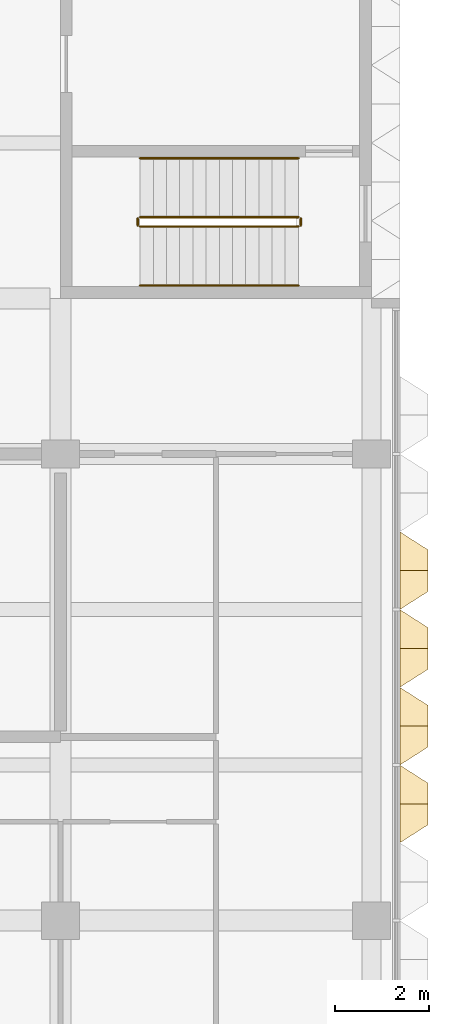
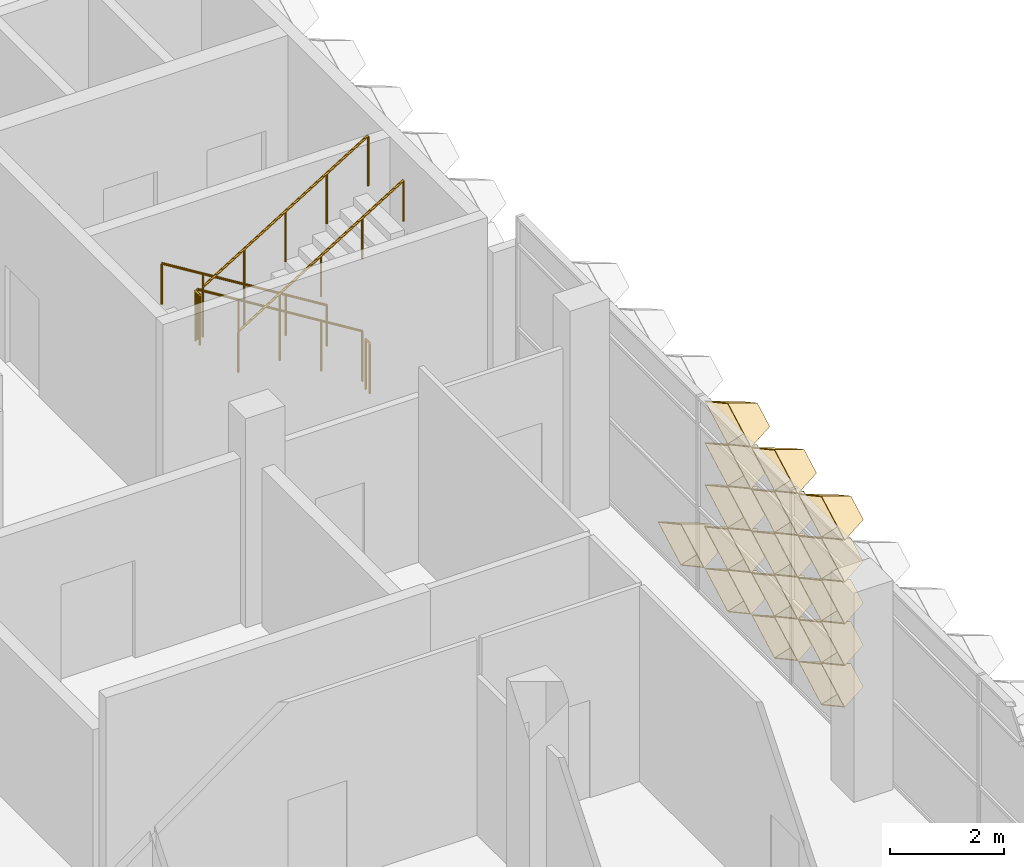
# One storey, part 33 of 39: 16 coverings, 6 railings.
"""IFC4 building model written with IfcOpenShell, lengths in metres."""

import ifcopenshell
import ifcopenshell.guid

model = None  # the IFC model being written
_history = None  # IfcOwnerHistory: only IFC2X3 demands one
_inside = {}  # id of a spatial element -> (the spatial element, [elements in it])
_under = {}  # id of a project, library or spatial element -> (it, [spatial elements below it])
_declared = {}  # id of a project -> (the project, [libraries it declares])
_typed = {}  # id of a type object -> (the type object, [elements of that type])
_made_of = {}  # id of a material, layer set ... -> (it, [elements and type objects made of it])


def new_model(schema):
    """Start an empty IFC model of exactly this schema.

    Asked for "IFC4X3", IfcOpenShell would pick the latest addendum, in which some entities
    have other attributes; the version numbers below select the first issue.
    IFC2X3 requires an IfcOwnerHistory on every rooted entity: one is made here for all.
    """
    global model, _history
    if schema == "IFC4X3":
        model = ifcopenshell.file(schema_version=(4, 3, 0, 0))
    else:
        model = ifcopenshell.file(schema=schema)
    _inside.clear()
    _under.clear()
    _declared.clear()
    _typed.clear()
    _made_of.clear()
    _history = None
    if model.schema == "IFC2X3":
        org = make("IfcOrganization", Name="unknown")
        user = make(
            "IfcPersonAndOrganization",
            ThePerson=make("IfcPerson", FamilyName="unknown"),
            TheOrganization=org,
        )
        app = make(
            "IfcApplication",
            ApplicationDeveloper=org,
            Version="unknown",
            ApplicationFullName="unknown",
            ApplicationIdentifier="unknown",
        )
        _history = make(
            "IfcOwnerHistory",
            OwningUser=user,
            OwningApplication=app,
            ChangeAction="ADDED",
            CreationDate=0,
        )
    return model


def make(cls, **values):
    """One entity of the class cls with the attributes given. An attribute that is None is left unset."""
    return model.create_entity(
        cls, **{name: value for name, value in values.items() if value is not None}
    )


def entity(cls, *values):
    """Any entity or typed value of the class cls, its attributes in the order of the schema. None: left unset."""
    e = model.create_entity(cls)
    for i, value in enumerate(values):
        if value is not None:
            e[i] = value
    return e


def rooted(cls, **values):
    """An entity with a GlobalId (a new one), such as an element, a storey or a relation."""
    return make(cls, GlobalId=ifcopenshell.guid.new(), OwnerHistory=_history, **values)


def si_unit(unit_type, name, prefix=None):
    """IfcSIUnit, for example si_unit("LENGTHUNIT", "METRE", prefix="MILLI")."""
    return make("IfcSIUnit", UnitType=unit_type, Prefix=prefix, Name=name)


def assignment(units):
    """IfcUnitAssignment: the units of a project."""
    return None if units is None else make("IfcUnitAssignment", Units=units)


def point(xyz):
    """IfcCartesianPoint."""
    return None if xyz is None else make("IfcCartesianPoint", Coordinates=xyz)


def direction(xyz):
    """IfcDirection."""
    return None if xyz is None else make("IfcDirection", DirectionRatios=xyz)


def frame(location, z_axis=None, x_axis=None):
    """IfcAxis2Placement3D, a coordinate frame: its origin and axes. An axis left out is left unset."""
    return make(
        "IfcAxis2Placement3D",
        Location=point(location),
        Axis=direction(z_axis),
        RefDirection=direction(x_axis),
    )


def frame_2d(location, x_axis=None):
    """IfcAxis2Placement2D, a coordinate frame in the plane: its origin and x axis."""
    return make(
        "IfcAxis2Placement2D", Location=point(location), RefDirection=direction(x_axis)
    )


def origin():
    """The frame at (0, 0, 0) with its axes left unset."""
    return frame((0.0, 0.0, 0.0))


def origin_2d():
    """The frame at (0, 0) in the plane with its x axis left unset."""
    return frame_2d((0.0, 0.0))


def place(relative_to, where):
    """IfcLocalPlacement: puts the frame where relative to a parent placement (None: the world)."""
    return make(
        "IfcLocalPlacement", PlacementRelTo=relative_to, RelativePlacement=where
    )


def context(
    kind, dimensions, precision=None, world=None, true_north=None, identifier=None
):
    """IfcGeometricRepresentationContext, for example the 3D "Model" context."""
    return make(
        "IfcGeometricRepresentationContext",
        ContextIdentifier=identifier,
        ContextType=kind,
        CoordinateSpaceDimension=dimensions,
        Precision=precision,
        WorldCoordinateSystem=world,
        TrueNorth=true_north,
    )


def subcontext(parent, identifier, kind, view, scale=None):
    """IfcGeometricRepresentationSubContext, for example "Body" below "Model"."""
    return make(
        "IfcGeometricRepresentationSubContext",
        ContextIdentifier=identifier,
        ContextType=kind,
        ParentContext=parent,
        TargetScale=scale,
        TargetView=view,
    )


def project(units=None, contexts=None):
    """IfcProject with its units and contexts."""
    return rooted(
        "IfcProject",
        Name="project",
        RepresentationContexts=contexts,
        UnitsInContext=assignment(units),
    )


def spatial(cls, under=None, at=None, **own):
    """A site, building, storey or space (cls), placed at a placement, below another one or the project."""
    s = rooted(cls, ObjectPlacement=at, **own)
    if under is not None:
        _under.setdefault(under.id(), (under, []))[1].append(s)
    return s


def profile(cls, at=None, kind="AREA", **sizes):
    """A parametric profile (cls). Its sizes go by their IFC names, for example OverallWidth=200.0."""
    return make(cls, ProfileType=kind, Position=at, **sizes)


def circle(**sizes):
    """IfcCircleProfileDef."""
    return profile("IfcCircleProfileDef", **sizes)


def extrude(swept, where, along, depth):
    """IfcExtrudedAreaSolid: the profile swept, set in the frame where, extruded along a direction by depth."""
    return make(
        "IfcExtrudedAreaSolid",
        SweptArea=swept,
        Position=where,
        ExtrudedDirection=direction(along),
        Depth=depth,
    )


def shape(context_of_items, identifier, shape_type, items):
    """IfcShapeRepresentation: the items that make up one representation, for example the "Body"."""
    return make(
        "IfcShapeRepresentation",
        ContextOfItems=context_of_items,
        RepresentationIdentifier=identifier,
        RepresentationType=shape_type,
        Items=items,
    )


def material(Name=None, Category=None):
    """IfcMaterial."""
    return make("IfcMaterial", Name=Name, Category=Category)


def layer(
    of_material, thickness, ventilated=None, Name=None, Category=None, Priority=None
):
    """IfcMaterialLayer: one layer of a wall or slab, of a material (None: an air gap)."""
    return make(
        "IfcMaterialLayer",
        Material=of_material,
        LayerThickness=thickness,
        IsVentilated=ventilated,
        Name=Name,
        Category=Category,
        Priority=Priority,
    )


def layer_set(layers, Name=None):
    """IfcMaterialLayerSet."""
    return make("IfcMaterialLayerSet", MaterialLayers=layers, LayerSetName=Name)


def made_of(thing, what):
    """Note that an element or type object is made of a material, layer set ...; save() writes the relation."""
    if what is not None:
        _made_of.setdefault(what.id(), (what, []))[1].append(thing)
    return thing


def type_object(cls, material=None, **own):
    """A type object (cls), such as IfcWallType, which elements share."""
    return made_of(rooted(cls, **own), material)


def element(
    cls,
    number,
    at=None,
    inside=None,
    cuts=None,
    type_object=None,
    material=None,
    context=None,
    identifier="Body",
    shape_type=None,
    held_by="IfcProductDefinitionShape",
    body=None,
    shapes=None,
    **own,
):
    """One element of the class cls, such as IfcWall. Its Tag is "e" and its number.

    at: its placement. inside: the storey or other place that contains it. cuts: it is an
    opening in that element (IfcRelVoidsElement). A single representation is given by context,
    identifier, shape_type and body (its items); several are given by shapes. held_by: the class
    of the entity that holds the representations. save() writes the other relations.
    """
    e = rooted(cls, Tag="e%d" % number, ObjectPlacement=at, **own)
    if body is not None:
        shapes = [shape(context, identifier, shape_type, body)]
    if shapes is not None:
        e.Representation = make(held_by, Representations=shapes)
    if inside is not None:
        _inside.setdefault(inside.id(), (inside, []))[1].append(e)
    if cuts is not None:
        rooted(
            "IfcRelVoidsElement", RelatingBuildingElement=cuts, RelatedOpeningElement=e
        )
    if type_object is not None:
        _typed.setdefault(type_object.id(), (type_object, []))[1].append(e)
    return made_of(e, material)


def aggregate(whole, parts):
    """IfcRelAggregates: a whole, such as a stair, and the parts it consists of."""
    return rooted("IfcRelAggregates", RelatingObject=whole, RelatedObjects=parts)


def save(model, path):
    """Write the relations noted so far, then the file.

    IfcRelAggregates (storeys below a building ...), IfcRelContainedInSpatialStructure (elements
    in a storey), IfcRelDefinesByType, IfcRelAssociatesMaterial and IfcRelDeclares: one each for
    every whole, place, type object, material and project.
    """
    for whole, parts in _under.values():
        aggregate(whole, parts)
    for where, things in _inside.values():
        rooted(
            "IfcRelContainedInSpatialStructure",
            RelatedElements=things,
            RelatingStructure=where,
        )
    for kind, things in _typed.values():
        rooted("IfcRelDefinesByType", RelatedObjects=things, RelatingType=kind)
    for what, things in _made_of.values():
        rooted("IfcRelAssociatesMaterial", RelatedObjects=things, RelatingMaterial=what)
    for by, libraries in _declared.values():
        rooted("IfcRelDeclares", RelatingContext=by, RelatedDefinitions=libraries)
    model.write(path)


model = new_model("IFC4")

# Units and contexts
model_context = context("Model", 3, precision=1e-05, world=origin(), true_north=direction((0.0, 1.0)))
body_context = subcontext(model_context, "Body", "Model", "MODEL_VIEW")
ifc_project = project(units=[si_unit("LENGTHUNIT", "METRE"), si_unit("AREAUNIT", "SQUARE_METRE"), si_unit("VOLUMEUNIT", "CUBIC_METRE"), si_unit("PLANEANGLEUNIT", "RADIAN"), si_unit("MASSUNIT", "GRAM", prefix="KILO")], contexts=[model_context])

# Site, building, storey
site_placement = place(None, origin())
site = spatial("IfcSite", under=ifc_project, at=site_placement, CompositionType="ELEMENT")
building_placement = place(site_placement, origin())
building = spatial("IfcBuilding", under=site, at=building_placement, Name="Lantern Court Research Institute", CompositionType="ELEMENT")
storey_placement = place(building_placement, frame((0.0, 0.0, 27.89990234375)))
storey = spatial("IfcBuildingStorey", under=building, at=storey_placement, Name="L06", CompositionType="ELEMENT", Elevation=27.89990234375)

# Coverings
ifc_material_1 = material(Name="Anodised aluminium", Category="aluminium")
ifc_layer = layer(ifc_material_1, 0.01611328125)
ifc_layer_set = layer_set([ifc_layer], Name="Anodised aluminium")
covering_type = type_object("IfcCoveringType", Name="Fin cassette 1650 x 900 x 600 aluminium", PredefinedType="CLADDING", material=ifc_layer_set)
covering_1_placement = place(storey_placement, frame((79.800048828125, 2.47509765625, 0.4501953125), z_axis=(1.0, 0.0, 0.0), x_axis=(0.0, 1.0, 0.0)))
cartesian_point_1 = entity("IfcCartesianPoint", [0.824951171875, 0.0])
cartesian_point_2 = entity("IfcCartesianPoint", [0.79150390625, 0.0])
cartesian_point_3 = entity("IfcCartesianPoint", [0.44189453125, 0.0])
cartesian_point_4 = entity("IfcCartesianPoint", [0.43359375, 0.0])
element("IfcCovering", 1, at=covering_1_placement, inside=storey, type_object=covering_type, Name="Fin cassette V5E-L06 1.2", PredefinedType="CLADDING", context=body_context, shape_type="SweptSolid", body=[
    entity("IfcExtrudedAreaSolidTapered", entity("IfcArbitraryProfileDefWithVoids", "AREA", None, entity("IfcPolyline", [cartesian_point_1, entity("IfcCartesianPoint", [0.0, 0.449951171875]), entity("IfcCartesianPoint", [-0.824951171875, 0.0]), entity("IfcCartesianPoint", [0.0, -0.449951171875]), cartesian_point_1]), [entity("IfcPolyline", [cartesian_point_2, entity("IfcCartesianPoint", [0.0, 0.431884765625]), entity("IfcCartesianPoint", [-0.79150390625, 0.0]), entity("IfcCartesianPoint", [0.0, -0.431884765625]), cartesian_point_2])]), entity("IfcAxis2Placement3D", entity("IfcCartesianPoint", [0.0, 0.0, 0.0])), entity("IfcDirection", [0.0, 0.0, 1.0]), 0.60009765625, entity("IfcArbitraryProfileDefWithVoids", "AREA", None, entity("IfcPolyline", [cartesian_point_3, entity("IfcCartesianPoint", [0.0, 0.240966796875]), entity("IfcCartesianPoint", [-0.44189453125, 0.0]), entity("IfcCartesianPoint", [0.0, -0.240966796875]), cartesian_point_3]), [entity("IfcPolyline", [cartesian_point_4, entity("IfcCartesianPoint", [0.0, 0.236572265625]), entity("IfcCartesianPoint", [-0.43359375, 0.0]), entity("IfcCartesianPoint", [0.0, -0.236572265625]), cartesian_point_4])])),
])
covering_2_placement = place(storey_placement, frame((79.800048828125, 4.125, 0.4501953125), z_axis=(1.0, 0.0, 0.0), x_axis=(0.0, 1.0, 0.0)))
cartesian_point_5 = entity("IfcCartesianPoint", [0.824951171875, 0.0])
cartesian_point_6 = entity("IfcCartesianPoint", [0.79150390625, 0.0])
cartesian_point_7 = entity("IfcCartesianPoint", [0.44189453125, 0.0])
cartesian_point_8 = entity("IfcCartesianPoint", [0.43359375, 0.0])
element("IfcCovering", 2, at=covering_2_placement, inside=storey, type_object=covering_type, Name="Fin cassette V5E-L06 1.3", PredefinedType="CLADDING", context=body_context, shape_type="SweptSolid", body=[
    entity("IfcExtrudedAreaSolidTapered", entity("IfcArbitraryProfileDefWithVoids", "AREA", None, entity("IfcPolyline", [cartesian_point_5, entity("IfcCartesianPoint", [0.0, 0.449951171875]), entity("IfcCartesianPoint", [-0.824951171875, 0.0]), entity("IfcCartesianPoint", [0.0, -0.449951171875]), cartesian_point_5]), [entity("IfcPolyline", [cartesian_point_6, entity("IfcCartesianPoint", [0.0, 0.431884765625]), entity("IfcCartesianPoint", [-0.79150390625, 0.0]), entity("IfcCartesianPoint", [0.0, -0.431884765625]), cartesian_point_6])]), entity("IfcAxis2Placement3D", entity("IfcCartesianPoint", [0.0, 0.0, 0.0])), entity("IfcDirection", [0.0, 0.0, 1.0]), 0.60009765625, entity("IfcArbitraryProfileDefWithVoids", "AREA", None, entity("IfcPolyline", [cartesian_point_7, entity("IfcCartesianPoint", [0.0, 0.240966796875]), entity("IfcCartesianPoint", [-0.44189453125, 0.0]), entity("IfcCartesianPoint", [0.0, -0.240966796875]), cartesian_point_7]), [entity("IfcPolyline", [cartesian_point_8, entity("IfcCartesianPoint", [0.0, 0.236572265625]), entity("IfcCartesianPoint", [-0.43359375, 0.0]), entity("IfcCartesianPoint", [0.0, -0.236572265625]), cartesian_point_8])])),
])
covering_3_placement = place(storey_placement, frame((79.800048828125, 5.77490234375, 0.4501953125), z_axis=(1.0, 0.0, 0.0), x_axis=(0.0, 1.0, 0.0)))
cartesian_point_9 = entity("IfcCartesianPoint", [0.824951171875, 0.0])
cartesian_point_10 = entity("IfcCartesianPoint", [0.79150390625, 0.0])
cartesian_point_11 = entity("IfcCartesianPoint", [0.44189453125, 0.0])
cartesian_point_12 = entity("IfcCartesianPoint", [0.43359375, 0.0])
element("IfcCovering", 3, at=covering_3_placement, inside=storey, type_object=covering_type, Name="Fin cassette V5E-L06 1.4", PredefinedType="CLADDING", context=body_context, shape_type="SweptSolid", body=[
    entity("IfcExtrudedAreaSolidTapered", entity("IfcArbitraryProfileDefWithVoids", "AREA", None, entity("IfcPolyline", [cartesian_point_9, entity("IfcCartesianPoint", [0.0, 0.449951171875]), entity("IfcCartesianPoint", [-0.824951171875, 0.0]), entity("IfcCartesianPoint", [0.0, -0.449951171875]), cartesian_point_9]), [entity("IfcPolyline", [cartesian_point_10, entity("IfcCartesianPoint", [0.0, 0.431884765625]), entity("IfcCartesianPoint", [-0.79150390625, 0.0]), entity("IfcCartesianPoint", [0.0, -0.431884765625]), cartesian_point_10])]), entity("IfcAxis2Placement3D", entity("IfcCartesianPoint", [0.0, 0.0, 0.0])), entity("IfcDirection", [0.0, 0.0, 1.0]), 0.60009765625, entity("IfcArbitraryProfileDefWithVoids", "AREA", None, entity("IfcPolyline", [cartesian_point_11, entity("IfcCartesianPoint", [0.0, 0.240966796875]), entity("IfcCartesianPoint", [-0.44189453125, 0.0]), entity("IfcCartesianPoint", [0.0, -0.240966796875]), cartesian_point_11]), [entity("IfcPolyline", [cartesian_point_12, entity("IfcCartesianPoint", [0.0, 0.236572265625]), entity("IfcCartesianPoint", [-0.43359375, 0.0]), entity("IfcCartesianPoint", [0.0, -0.236572265625]), cartesian_point_12])])),
])
covering_4_placement = place(storey_placement, frame((79.800048828125, 7.425048828125, 0.4501953125), z_axis=(1.0, 0.0, 0.0), x_axis=(0.0, 1.0, 0.0)))
cartesian_point_13 = entity("IfcCartesianPoint", [0.824951171875, 0.0])
cartesian_point_14 = entity("IfcCartesianPoint", [0.79150390625, 0.0])
cartesian_point_15 = entity("IfcCartesianPoint", [0.44189453125, 0.0])
cartesian_point_16 = entity("IfcCartesianPoint", [0.43359375, 0.0])
element("IfcCovering", 4, at=covering_4_placement, inside=storey, type_object=covering_type, Name="Fin cassette V5E-L06 1.5", PredefinedType="CLADDING", context=body_context, shape_type="SweptSolid", body=[
    entity("IfcExtrudedAreaSolidTapered", entity("IfcArbitraryProfileDefWithVoids", "AREA", None, entity("IfcPolyline", [cartesian_point_13, entity("IfcCartesianPoint", [0.0, 0.449951171875]), entity("IfcCartesianPoint", [-0.824951171875, 0.0]), entity("IfcCartesianPoint", [0.0, -0.449951171875]), cartesian_point_13]), [entity("IfcPolyline", [cartesian_point_14, entity("IfcCartesianPoint", [0.0, 0.431884765625]), entity("IfcCartesianPoint", [-0.79150390625, 0.0]), entity("IfcCartesianPoint", [0.0, -0.431884765625]), cartesian_point_14])]), entity("IfcAxis2Placement3D", entity("IfcCartesianPoint", [0.0, 0.0, 0.0])), entity("IfcDirection", [0.0, 0.0, 1.0]), 0.60009765625, entity("IfcArbitraryProfileDefWithVoids", "AREA", None, entity("IfcPolyline", [cartesian_point_15, entity("IfcCartesianPoint", [0.0, 0.240966796875]), entity("IfcCartesianPoint", [-0.44189453125, 0.0]), entity("IfcCartesianPoint", [0.0, -0.240966796875]), cartesian_point_15]), [entity("IfcPolyline", [cartesian_point_16, entity("IfcCartesianPoint", [0.0, 0.236572265625]), entity("IfcCartesianPoint", [-0.43359375, 0.0]), entity("IfcCartesianPoint", [0.0, -0.236572265625]), cartesian_point_16])])),
])
covering_5_placement = place(storey_placement, frame((79.800048828125, 2.47509765625, 1.35009765625), z_axis=(1.0, 0.0, 0.0), x_axis=(0.0, 1.0, 0.0)))
cartesian_point_17 = entity("IfcCartesianPoint", [0.824951171875, 0.0])
cartesian_point_18 = entity("IfcCartesianPoint", [0.79150390625, 0.0])
cartesian_point_19 = entity("IfcCartesianPoint", [0.44189453125, 0.0])
cartesian_point_20 = entity("IfcCartesianPoint", [0.43359375, 0.0])
element("IfcCovering", 5, at=covering_5_placement, inside=storey, type_object=covering_type, Name="Fin cassette V5E-L06 2.2", PredefinedType="CLADDING", context=body_context, shape_type="SweptSolid", body=[
    entity("IfcExtrudedAreaSolidTapered", entity("IfcArbitraryProfileDefWithVoids", "AREA", None, entity("IfcPolyline", [cartesian_point_17, entity("IfcCartesianPoint", [0.0, 0.449951171875]), entity("IfcCartesianPoint", [-0.824951171875, 0.0]), entity("IfcCartesianPoint", [0.0, -0.449951171875]), cartesian_point_17]), [entity("IfcPolyline", [cartesian_point_18, entity("IfcCartesianPoint", [0.0, 0.431884765625]), entity("IfcCartesianPoint", [-0.79150390625, 0.0]), entity("IfcCartesianPoint", [0.0, -0.431884765625]), cartesian_point_18])]), entity("IfcAxis2Placement3D", entity("IfcCartesianPoint", [0.0, 0.0, 0.0])), entity("IfcDirection", [0.0, 0.0, 1.0]), 0.60009765625, entity("IfcArbitraryProfileDefWithVoids", "AREA", None, entity("IfcPolyline", [cartesian_point_19, entity("IfcCartesianPoint", [0.0, 0.240966796875]), entity("IfcCartesianPoint", [-0.44189453125, 0.0]), entity("IfcCartesianPoint", [0.0, -0.240966796875]), cartesian_point_19]), [entity("IfcPolyline", [cartesian_point_20, entity("IfcCartesianPoint", [0.0, 0.236572265625]), entity("IfcCartesianPoint", [-0.43359375, 0.0]), entity("IfcCartesianPoint", [0.0, -0.236572265625]), cartesian_point_20])])),
])
covering_6_placement = place(storey_placement, frame((79.800048828125, 4.125, 1.35009765625), z_axis=(1.0, 0.0, 0.0), x_axis=(0.0, 1.0, 0.0)))
cartesian_point_21 = entity("IfcCartesianPoint", [0.824951171875, 0.0])
cartesian_point_22 = entity("IfcCartesianPoint", [0.79150390625, 0.0])
cartesian_point_23 = entity("IfcCartesianPoint", [0.44189453125, 0.0])
cartesian_point_24 = entity("IfcCartesianPoint", [0.43359375, 0.0])
element("IfcCovering", 6, at=covering_6_placement, inside=storey, type_object=covering_type, Name="Fin cassette V5E-L06 2.3", PredefinedType="CLADDING", context=body_context, shape_type="SweptSolid", body=[
    entity("IfcExtrudedAreaSolidTapered", entity("IfcArbitraryProfileDefWithVoids", "AREA", None, entity("IfcPolyline", [cartesian_point_21, entity("IfcCartesianPoint", [0.0, 0.449951171875]), entity("IfcCartesianPoint", [-0.824951171875, 0.0]), entity("IfcCartesianPoint", [0.0, -0.449951171875]), cartesian_point_21]), [entity("IfcPolyline", [cartesian_point_22, entity("IfcCartesianPoint", [0.0, 0.431884765625]), entity("IfcCartesianPoint", [-0.79150390625, 0.0]), entity("IfcCartesianPoint", [0.0, -0.431884765625]), cartesian_point_22])]), entity("IfcAxis2Placement3D", entity("IfcCartesianPoint", [0.0, 0.0, 0.0])), entity("IfcDirection", [0.0, 0.0, 1.0]), 0.60009765625, entity("IfcArbitraryProfileDefWithVoids", "AREA", None, entity("IfcPolyline", [cartesian_point_23, entity("IfcCartesianPoint", [0.0, 0.240966796875]), entity("IfcCartesianPoint", [-0.44189453125, 0.0]), entity("IfcCartesianPoint", [0.0, -0.240966796875]), cartesian_point_23]), [entity("IfcPolyline", [cartesian_point_24, entity("IfcCartesianPoint", [0.0, 0.236572265625]), entity("IfcCartesianPoint", [-0.43359375, 0.0]), entity("IfcCartesianPoint", [0.0, -0.236572265625]), cartesian_point_24])])),
])
covering_7_placement = place(storey_placement, frame((79.800048828125, 5.77490234375, 1.35009765625), z_axis=(1.0, 0.0, 0.0), x_axis=(0.0, 1.0, 0.0)))
cartesian_point_25 = entity("IfcCartesianPoint", [0.824951171875, 0.0])
cartesian_point_26 = entity("IfcCartesianPoint", [0.79150390625, 0.0])
cartesian_point_27 = entity("IfcCartesianPoint", [0.44189453125, 0.0])
cartesian_point_28 = entity("IfcCartesianPoint", [0.43359375, 0.0])
element("IfcCovering", 7, at=covering_7_placement, inside=storey, type_object=covering_type, Name="Fin cassette V5E-L06 2.4", PredefinedType="CLADDING", context=body_context, shape_type="SweptSolid", body=[
    entity("IfcExtrudedAreaSolidTapered", entity("IfcArbitraryProfileDefWithVoids", "AREA", None, entity("IfcPolyline", [cartesian_point_25, entity("IfcCartesianPoint", [0.0, 0.449951171875]), entity("IfcCartesianPoint", [-0.824951171875, 0.0]), entity("IfcCartesianPoint", [0.0, -0.449951171875]), cartesian_point_25]), [entity("IfcPolyline", [cartesian_point_26, entity("IfcCartesianPoint", [0.0, 0.431884765625]), entity("IfcCartesianPoint", [-0.79150390625, 0.0]), entity("IfcCartesianPoint", [0.0, -0.431884765625]), cartesian_point_26])]), entity("IfcAxis2Placement3D", entity("IfcCartesianPoint", [0.0, 0.0, 0.0])), entity("IfcDirection", [0.0, 0.0, 1.0]), 0.60009765625, entity("IfcArbitraryProfileDefWithVoids", "AREA", None, entity("IfcPolyline", [cartesian_point_27, entity("IfcCartesianPoint", [0.0, 0.240966796875]), entity("IfcCartesianPoint", [-0.44189453125, 0.0]), entity("IfcCartesianPoint", [0.0, -0.240966796875]), cartesian_point_27]), [entity("IfcPolyline", [cartesian_point_28, entity("IfcCartesianPoint", [0.0, 0.236572265625]), entity("IfcCartesianPoint", [-0.43359375, 0.0]), entity("IfcCartesianPoint", [0.0, -0.236572265625]), cartesian_point_28])])),
])
covering_8_placement = place(storey_placement, frame((79.800048828125, 2.47509765625, 2.25), z_axis=(1.0, 0.0, 0.0), x_axis=(0.0, 1.0, 0.0)))
cartesian_point_29 = entity("IfcCartesianPoint", [0.824951171875, 0.0])
cartesian_point_30 = entity("IfcCartesianPoint", [0.79150390625, 0.0])
cartesian_point_31 = entity("IfcCartesianPoint", [0.44189453125, 0.0])
cartesian_point_32 = entity("IfcCartesianPoint", [0.43359375, 0.0])
element("IfcCovering", 8, at=covering_8_placement, inside=storey, type_object=covering_type, Name="Fin cassette V5E-L06 3.2", PredefinedType="CLADDING", context=body_context, shape_type="SweptSolid", body=[
    entity("IfcExtrudedAreaSolidTapered", entity("IfcArbitraryProfileDefWithVoids", "AREA", None, entity("IfcPolyline", [cartesian_point_29, entity("IfcCartesianPoint", [0.0, 0.449951171875]), entity("IfcCartesianPoint", [-0.824951171875, 0.0]), entity("IfcCartesianPoint", [0.0, -0.449951171875]), cartesian_point_29]), [entity("IfcPolyline", [cartesian_point_30, entity("IfcCartesianPoint", [0.0, 0.431884765625]), entity("IfcCartesianPoint", [-0.79150390625, 0.0]), entity("IfcCartesianPoint", [0.0, -0.431884765625]), cartesian_point_30])]), entity("IfcAxis2Placement3D", entity("IfcCartesianPoint", [0.0, 0.0, 0.0])), entity("IfcDirection", [0.0, 0.0, 1.0]), 0.60009765625, entity("IfcArbitraryProfileDefWithVoids", "AREA", None, entity("IfcPolyline", [cartesian_point_31, entity("IfcCartesianPoint", [0.0, 0.240966796875]), entity("IfcCartesianPoint", [-0.44189453125, 0.0]), entity("IfcCartesianPoint", [0.0, -0.240966796875]), cartesian_point_31]), [entity("IfcPolyline", [cartesian_point_32, entity("IfcCartesianPoint", [0.0, 0.236572265625]), entity("IfcCartesianPoint", [-0.43359375, 0.0]), entity("IfcCartesianPoint", [0.0, -0.236572265625]), cartesian_point_32])])),
])
covering_9_placement = place(storey_placement, frame((79.800048828125, 4.125, 2.25), z_axis=(1.0, 0.0, 0.0), x_axis=(0.0, 1.0, 0.0)))
cartesian_point_33 = entity("IfcCartesianPoint", [0.824951171875, 0.0])
cartesian_point_34 = entity("IfcCartesianPoint", [0.79150390625, 0.0])
cartesian_point_35 = entity("IfcCartesianPoint", [0.44189453125, 0.0])
cartesian_point_36 = entity("IfcCartesianPoint", [0.43359375, 0.0])
element("IfcCovering", 9, at=covering_9_placement, inside=storey, type_object=covering_type, Name="Fin cassette V5E-L06 3.3", PredefinedType="CLADDING", context=body_context, shape_type="SweptSolid", body=[
    entity("IfcExtrudedAreaSolidTapered", entity("IfcArbitraryProfileDefWithVoids", "AREA", None, entity("IfcPolyline", [cartesian_point_33, entity("IfcCartesianPoint", [0.0, 0.449951171875]), entity("IfcCartesianPoint", [-0.824951171875, 0.0]), entity("IfcCartesianPoint", [0.0, -0.449951171875]), cartesian_point_33]), [entity("IfcPolyline", [cartesian_point_34, entity("IfcCartesianPoint", [0.0, 0.431884765625]), entity("IfcCartesianPoint", [-0.79150390625, 0.0]), entity("IfcCartesianPoint", [0.0, -0.431884765625]), cartesian_point_34])]), entity("IfcAxis2Placement3D", entity("IfcCartesianPoint", [0.0, 0.0, 0.0])), entity("IfcDirection", [0.0, 0.0, 1.0]), 0.60009765625, entity("IfcArbitraryProfileDefWithVoids", "AREA", None, entity("IfcPolyline", [cartesian_point_35, entity("IfcCartesianPoint", [0.0, 0.240966796875]), entity("IfcCartesianPoint", [-0.44189453125, 0.0]), entity("IfcCartesianPoint", [0.0, -0.240966796875]), cartesian_point_35]), [entity("IfcPolyline", [cartesian_point_36, entity("IfcCartesianPoint", [0.0, 0.236572265625]), entity("IfcCartesianPoint", [-0.43359375, 0.0]), entity("IfcCartesianPoint", [0.0, -0.236572265625]), cartesian_point_36])])),
])
covering_10_placement = place(storey_placement, frame((79.800048828125, 5.77490234375, 2.25), z_axis=(1.0, 0.0, 0.0), x_axis=(0.0, 1.0, 0.0)))
cartesian_point_37 = entity("IfcCartesianPoint", [0.824951171875, 0.0])
cartesian_point_38 = entity("IfcCartesianPoint", [0.79150390625, 0.0])
cartesian_point_39 = entity("IfcCartesianPoint", [0.44189453125, 0.0])
cartesian_point_40 = entity("IfcCartesianPoint", [0.43359375, 0.0])
element("IfcCovering", 10, at=covering_10_placement, inside=storey, type_object=covering_type, Name="Fin cassette V5E-L06 3.4", PredefinedType="CLADDING", context=body_context, shape_type="SweptSolid", body=[
    entity("IfcExtrudedAreaSolidTapered", entity("IfcArbitraryProfileDefWithVoids", "AREA", None, entity("IfcPolyline", [cartesian_point_37, entity("IfcCartesianPoint", [0.0, 0.449951171875]), entity("IfcCartesianPoint", [-0.824951171875, 0.0]), entity("IfcCartesianPoint", [0.0, -0.449951171875]), cartesian_point_37]), [entity("IfcPolyline", [cartesian_point_38, entity("IfcCartesianPoint", [0.0, 0.431884765625]), entity("IfcCartesianPoint", [-0.79150390625, 0.0]), entity("IfcCartesianPoint", [0.0, -0.431884765625]), cartesian_point_38])]), entity("IfcAxis2Placement3D", entity("IfcCartesianPoint", [0.0, 0.0, 0.0])), entity("IfcDirection", [0.0, 0.0, 1.0]), 0.60009765625, entity("IfcArbitraryProfileDefWithVoids", "AREA", None, entity("IfcPolyline", [cartesian_point_39, entity("IfcCartesianPoint", [0.0, 0.240966796875]), entity("IfcCartesianPoint", [-0.44189453125, 0.0]), entity("IfcCartesianPoint", [0.0, -0.240966796875]), cartesian_point_39]), [entity("IfcPolyline", [cartesian_point_40, entity("IfcCartesianPoint", [0.0, 0.236572265625]), entity("IfcCartesianPoint", [-0.43359375, 0.0]), entity("IfcCartesianPoint", [0.0, -0.236572265625]), cartesian_point_40])])),
])
covering_11_placement = place(storey_placement, frame((79.800048828125, 2.47509765625, 3.150146484375), z_axis=(1.0, 0.0, 0.0), x_axis=(0.0, 1.0, 0.0)))
cartesian_point_41 = entity("IfcCartesianPoint", [0.824951171875, 0.0])
cartesian_point_42 = entity("IfcCartesianPoint", [0.79150390625, 0.0])
cartesian_point_43 = entity("IfcCartesianPoint", [0.44189453125, 0.0])
cartesian_point_44 = entity("IfcCartesianPoint", [0.43359375, 0.0])
element("IfcCovering", 11, at=covering_11_placement, inside=storey, type_object=covering_type, Name="Fin cassette V5E-L06 4.2", PredefinedType="CLADDING", context=body_context, shape_type="SweptSolid", body=[
    entity("IfcExtrudedAreaSolidTapered", entity("IfcArbitraryProfileDefWithVoids", "AREA", None, entity("IfcPolyline", [cartesian_point_41, entity("IfcCartesianPoint", [0.0, 0.449951171875]), entity("IfcCartesianPoint", [-0.824951171875, 0.0]), entity("IfcCartesianPoint", [0.0, -0.449951171875]), cartesian_point_41]), [entity("IfcPolyline", [cartesian_point_42, entity("IfcCartesianPoint", [0.0, 0.431884765625]), entity("IfcCartesianPoint", [-0.79150390625, 0.0]), entity("IfcCartesianPoint", [0.0, -0.431884765625]), cartesian_point_42])]), entity("IfcAxis2Placement3D", entity("IfcCartesianPoint", [0.0, 0.0, 0.0])), entity("IfcDirection", [0.0, 0.0, 1.0]), 0.60009765625, entity("IfcArbitraryProfileDefWithVoids", "AREA", None, entity("IfcPolyline", [cartesian_point_43, entity("IfcCartesianPoint", [0.0, 0.240966796875]), entity("IfcCartesianPoint", [-0.44189453125, 0.0]), entity("IfcCartesianPoint", [0.0, -0.240966796875]), cartesian_point_43]), [entity("IfcPolyline", [cartesian_point_44, entity("IfcCartesianPoint", [0.0, 0.236572265625]), entity("IfcCartesianPoint", [-0.43359375, 0.0]), entity("IfcCartesianPoint", [0.0, -0.236572265625]), cartesian_point_44])])),
])
covering_12_placement = place(storey_placement, frame((79.800048828125, 4.125, 3.150146484375), z_axis=(1.0, 0.0, 0.0), x_axis=(0.0, 1.0, 0.0)))
cartesian_point_45 = entity("IfcCartesianPoint", [0.824951171875, 0.0])
cartesian_point_46 = entity("IfcCartesianPoint", [0.79150390625, 0.0])
cartesian_point_47 = entity("IfcCartesianPoint", [0.44189453125, 0.0])
cartesian_point_48 = entity("IfcCartesianPoint", [0.43359375, 0.0])
element("IfcCovering", 12, at=covering_12_placement, inside=storey, type_object=covering_type, Name="Fin cassette V5E-L06 4.3", PredefinedType="CLADDING", context=body_context, shape_type="SweptSolid", body=[
    entity("IfcExtrudedAreaSolidTapered", entity("IfcArbitraryProfileDefWithVoids", "AREA", None, entity("IfcPolyline", [cartesian_point_45, entity("IfcCartesianPoint", [0.0, 0.449951171875]), entity("IfcCartesianPoint", [-0.824951171875, 0.0]), entity("IfcCartesianPoint", [0.0, -0.449951171875]), cartesian_point_45]), [entity("IfcPolyline", [cartesian_point_46, entity("IfcCartesianPoint", [0.0, 0.431884765625]), entity("IfcCartesianPoint", [-0.79150390625, 0.0]), entity("IfcCartesianPoint", [0.0, -0.431884765625]), cartesian_point_46])]), entity("IfcAxis2Placement3D", entity("IfcCartesianPoint", [0.0, 0.0, 0.0])), entity("IfcDirection", [0.0, 0.0, 1.0]), 0.60009765625, entity("IfcArbitraryProfileDefWithVoids", "AREA", None, entity("IfcPolyline", [cartesian_point_47, entity("IfcCartesianPoint", [0.0, 0.240966796875]), entity("IfcCartesianPoint", [-0.44189453125, 0.0]), entity("IfcCartesianPoint", [0.0, -0.240966796875]), cartesian_point_47]), [entity("IfcPolyline", [cartesian_point_48, entity("IfcCartesianPoint", [0.0, 0.236572265625]), entity("IfcCartesianPoint", [-0.43359375, 0.0]), entity("IfcCartesianPoint", [0.0, -0.236572265625]), cartesian_point_48])])),
])
covering_13_placement = place(storey_placement, frame((79.800048828125, 5.77490234375, 3.150146484375), z_axis=(1.0, 0.0, 0.0), x_axis=(0.0, 1.0, 0.0)))
cartesian_point_49 = entity("IfcCartesianPoint", [0.824951171875, 0.0])
cartesian_point_50 = entity("IfcCartesianPoint", [0.79150390625, 0.0])
cartesian_point_51 = entity("IfcCartesianPoint", [0.44189453125, 0.0])
cartesian_point_52 = entity("IfcCartesianPoint", [0.43359375, 0.0])
element("IfcCovering", 13, at=covering_13_placement, inside=storey, type_object=covering_type, Name="Fin cassette V5E-L06 4.4", PredefinedType="CLADDING", context=body_context, shape_type="SweptSolid", body=[
    entity("IfcExtrudedAreaSolidTapered", entity("IfcArbitraryProfileDefWithVoids", "AREA", None, entity("IfcPolyline", [cartesian_point_49, entity("IfcCartesianPoint", [0.0, 0.449951171875]), entity("IfcCartesianPoint", [-0.824951171875, 0.0]), entity("IfcCartesianPoint", [0.0, -0.449951171875]), cartesian_point_49]), [entity("IfcPolyline", [cartesian_point_50, entity("IfcCartesianPoint", [0.0, 0.431884765625]), entity("IfcCartesianPoint", [-0.79150390625, 0.0]), entity("IfcCartesianPoint", [0.0, -0.431884765625]), cartesian_point_50])]), entity("IfcAxis2Placement3D", entity("IfcCartesianPoint", [0.0, 0.0, 0.0])), entity("IfcDirection", [0.0, 0.0, 1.0]), 0.60009765625, entity("IfcArbitraryProfileDefWithVoids", "AREA", None, entity("IfcPolyline", [cartesian_point_51, entity("IfcCartesianPoint", [0.0, 0.240966796875]), entity("IfcCartesianPoint", [-0.44189453125, 0.0]), entity("IfcCartesianPoint", [0.0, -0.240966796875]), cartesian_point_51]), [entity("IfcPolyline", [cartesian_point_52, entity("IfcCartesianPoint", [0.0, 0.236572265625]), entity("IfcCartesianPoint", [-0.43359375, 0.0]), entity("IfcCartesianPoint", [0.0, -0.236572265625]), cartesian_point_52])])),
])
covering_14_placement = place(storey_placement, frame((79.800048828125, 2.47509765625, 4.050048828125), z_axis=(1.0, 0.0, 0.0), x_axis=(0.0, 1.0, 0.0)))
cartesian_point_53 = entity("IfcCartesianPoint", [0.824951171875, 0.0])
cartesian_point_54 = entity("IfcCartesianPoint", [0.79150390625, 0.0])
cartesian_point_55 = entity("IfcCartesianPoint", [0.44189453125, 0.0])
cartesian_point_56 = entity("IfcCartesianPoint", [0.43359375, 0.0])
element("IfcCovering", 14, at=covering_14_placement, inside=storey, type_object=covering_type, Name="Fin cassette V5E-L06 5.2", PredefinedType="CLADDING", context=body_context, shape_type="SweptSolid", body=[
    entity("IfcExtrudedAreaSolidTapered", entity("IfcArbitraryProfileDefWithVoids", "AREA", None, entity("IfcPolyline", [cartesian_point_53, entity("IfcCartesianPoint", [0.0, 0.449951171875]), entity("IfcCartesianPoint", [-0.824951171875, 0.0]), entity("IfcCartesianPoint", [0.0, -0.449951171875]), cartesian_point_53]), [entity("IfcPolyline", [cartesian_point_54, entity("IfcCartesianPoint", [0.0, 0.431884765625]), entity("IfcCartesianPoint", [-0.79150390625, 0.0]), entity("IfcCartesianPoint", [0.0, -0.431884765625]), cartesian_point_54])]), entity("IfcAxis2Placement3D", entity("IfcCartesianPoint", [0.0, 0.0, 0.0])), entity("IfcDirection", [0.0, 0.0, 1.0]), 0.60009765625, entity("IfcArbitraryProfileDefWithVoids", "AREA", None, entity("IfcPolyline", [cartesian_point_55, entity("IfcCartesianPoint", [0.0, 0.240966796875]), entity("IfcCartesianPoint", [-0.44189453125, 0.0]), entity("IfcCartesianPoint", [0.0, -0.240966796875]), cartesian_point_55]), [entity("IfcPolyline", [cartesian_point_56, entity("IfcCartesianPoint", [0.0, 0.236572265625]), entity("IfcCartesianPoint", [-0.43359375, 0.0]), entity("IfcCartesianPoint", [0.0, -0.236572265625]), cartesian_point_56])])),
])
covering_15_placement = place(storey_placement, frame((79.800048828125, 4.125, 4.050048828125), z_axis=(1.0, 0.0, 0.0), x_axis=(0.0, 1.0, 0.0)))
cartesian_point_57 = entity("IfcCartesianPoint", [0.824951171875, 0.0])
cartesian_point_58 = entity("IfcCartesianPoint", [0.79150390625, 0.0])
cartesian_point_59 = entity("IfcCartesianPoint", [0.44189453125, 0.0])
cartesian_point_60 = entity("IfcCartesianPoint", [0.43359375, 0.0])
element("IfcCovering", 15, at=covering_15_placement, inside=storey, type_object=covering_type, Name="Fin cassette V5E-L06 5.3", PredefinedType="CLADDING", context=body_context, shape_type="SweptSolid", body=[
    entity("IfcExtrudedAreaSolidTapered", entity("IfcArbitraryProfileDefWithVoids", "AREA", None, entity("IfcPolyline", [cartesian_point_57, entity("IfcCartesianPoint", [0.0, 0.449951171875]), entity("IfcCartesianPoint", [-0.824951171875, 0.0]), entity("IfcCartesianPoint", [0.0, -0.449951171875]), cartesian_point_57]), [entity("IfcPolyline", [cartesian_point_58, entity("IfcCartesianPoint", [0.0, 0.431884765625]), entity("IfcCartesianPoint", [-0.79150390625, 0.0]), entity("IfcCartesianPoint", [0.0, -0.431884765625]), cartesian_point_58])]), entity("IfcAxis2Placement3D", entity("IfcCartesianPoint", [0.0, 0.0, 0.0])), entity("IfcDirection", [0.0, 0.0, 1.0]), 0.60009765625, entity("IfcArbitraryProfileDefWithVoids", "AREA", None, entity("IfcPolyline", [cartesian_point_59, entity("IfcCartesianPoint", [0.0, 0.240966796875]), entity("IfcCartesianPoint", [-0.44189453125, 0.0]), entity("IfcCartesianPoint", [0.0, -0.240966796875]), cartesian_point_59]), [entity("IfcPolyline", [cartesian_point_60, entity("IfcCartesianPoint", [0.0, 0.236572265625]), entity("IfcCartesianPoint", [-0.43359375, 0.0]), entity("IfcCartesianPoint", [0.0, -0.236572265625]), cartesian_point_60])])),
])
covering_16_placement = place(storey_placement, frame((79.800048828125, 5.77490234375, 4.050048828125), z_axis=(1.0, 0.0, 0.0), x_axis=(0.0, 1.0, 0.0)))
cartesian_point_61 = entity("IfcCartesianPoint", [0.824951171875, 0.0])
cartesian_point_62 = entity("IfcCartesianPoint", [0.79150390625, 0.0])
cartesian_point_63 = entity("IfcCartesianPoint", [0.44189453125, 0.0])
cartesian_point_64 = entity("IfcCartesianPoint", [0.43359375, 0.0])
element("IfcCovering", 16, at=covering_16_placement, inside=storey, type_object=covering_type, Name="Fin cassette V5E-L06 5.4", PredefinedType="CLADDING", context=body_context, shape_type="SweptSolid", body=[
    entity("IfcExtrudedAreaSolidTapered", entity("IfcArbitraryProfileDefWithVoids", "AREA", None, entity("IfcPolyline", [cartesian_point_61, entity("IfcCartesianPoint", [0.0, 0.449951171875]), entity("IfcCartesianPoint", [-0.824951171875, 0.0]), entity("IfcCartesianPoint", [0.0, -0.449951171875]), cartesian_point_61]), [entity("IfcPolyline", [cartesian_point_62, entity("IfcCartesianPoint", [0.0, 0.431884765625]), entity("IfcCartesianPoint", [-0.79150390625, 0.0]), entity("IfcCartesianPoint", [0.0, -0.431884765625]), cartesian_point_62])]), entity("IfcAxis2Placement3D", entity("IfcCartesianPoint", [0.0, 0.0, 0.0])), entity("IfcDirection", [0.0, 0.0, 1.0]), 0.60009765625, entity("IfcArbitraryProfileDefWithVoids", "AREA", None, entity("IfcPolyline", [cartesian_point_63, entity("IfcCartesianPoint", [0.0, 0.240966796875]), entity("IfcCartesianPoint", [-0.44189453125, 0.0]), entity("IfcCartesianPoint", [0.0, -0.240966796875]), cartesian_point_63]), [entity("IfcPolyline", [cartesian_point_64, entity("IfcCartesianPoint", [0.0, 0.236572265625]), entity("IfcCartesianPoint", [-0.43359375, 0.0]), entity("IfcCartesianPoint", [0.0, -0.236572265625]), cartesian_point_64])])),
])

# Railings
ifc_material_2 = material(Name="Structural steel S355", Category="steel")
railing_type_1 = type_object("IfcRailingType", Name="Stair guard 1100 steel", PredefinedType="GUARDRAIL", material=ifc_material_2)
railing_1_placement = place(storey_placement, frame((77.64990234375, 14.925048828125, 0.173095703125)))
element("IfcRailing", 17, at=railing_1_placement, inside=storey, type_object=railing_type_1, Name="L06 ST-T2 stair guard 1", PredefinedType="GUARDRAIL", context=body_context, shape_type="SweptSolid", body=[
    extrude(circle(Radius=0.02392578125, at=origin_2d()), frame((0.0, 0.0, 1.076171875), z_axis=(-0.850606129759, 0.0, 0.525803396734), x_axis=(0.0, -1.0, 0.0)), (0.0, 0.0, 1.0), 3.949951171875),
    extrude(circle(Radius=0.02099609375, at=origin_2d()), origin(), (0.0, 0.0, 1.0), 1.052001953125),
    extrude(circle(Radius=0.02099609375, at=origin_2d()), frame((-0.83984375, 0.0, 0.519287109375)), (0.0, 0.0, 1.0), 1.052001953125),
    extrude(circle(Radius=0.02099609375, at=origin_2d()), frame((-1.679931640625, 0.0, 1.03857421875)), (0.0, 0.0, 1.0), 1.052001953125),
    extrude(circle(Radius=0.02099609375, at=origin_2d()), frame((-2.52001953125, 0.0, 1.5576171875)), (0.0, 0.0, 1.0), 1.052001953125),
    extrude(circle(Radius=0.02099609375, at=origin_2d()), frame((-3.35986328125, 0.0, 2.076904296875)), (0.0, 0.0, 1.0), 1.052001953125),
])
railing_2_placement = place(storey_placement, frame((74.239990234375, 14.89990234375, 2.25)))
element("IfcRailing", 18, at=railing_2_placement, inside=storey, type_object=railing_type_1, Name="L06 ST-T2 stair guard 2", PredefinedType="GUARDRAIL", context=body_context, shape_type="SweptSolid", body=[
    extrude(circle(Radius=0.02392578125, at=origin_2d()), frame((0.0, 0.0, 1.076171875), z_axis=(0.0, -1.0, 0.0), x_axis=(1.0, 0.0, 0.0)), (0.0, 0.0, 1.0), 0.14990234375),
    extrude(circle(Radius=0.02099609375, at=origin_2d()), origin(), (0.0, 0.0, 1.0), 1.052001953125),
    extrude(circle(Radius=0.02099609375, at=origin_2d()), frame((0.0, -0.14990234375, 0.0)), (0.0, 0.0, 1.0), 1.052001953125),
])
railing_3_placement = place(storey_placement, frame((74.2900390625, 14.72509765625, 2.423095703125)))
element("IfcRailing", 19, at=railing_3_placement, inside=storey, type_object=railing_type_1, Name="L06 ST-T2 stair guard 3", PredefinedType="GUARDRAIL", context=body_context, shape_type="SweptSolid", body=[
    extrude(circle(Radius=0.02392578125, at=origin_2d()), frame((0.0, 0.0, 1.076171875), z_axis=(0.850606129759, 0.0, 0.525803396734), x_axis=(0.0, 1.0, 0.0)), (0.0, 0.0, 1.0), 3.949951171875),
    extrude(circle(Radius=0.02099609375, at=origin_2d()), origin(), (0.0, 0.0, 1.0), 1.052001953125),
    extrude(circle(Radius=0.02099609375, at=origin_2d()), frame((0.83984375, 0.0, 0.519287109375)), (0.0, 0.0, 1.0), 1.052001953125),
    extrude(circle(Radius=0.02099609375, at=origin_2d()), frame((1.679931640625, 0.0, 1.03857421875)), (0.0, 0.0, 1.0), 1.052001953125),
    extrude(circle(Radius=0.02099609375, at=origin_2d()), frame((2.52001953125, 0.0, 1.5576171875)), (0.0, 0.0, 1.0), 1.052001953125),
    extrude(circle(Radius=0.02099609375, at=origin_2d()), frame((3.35986328125, 0.0, 2.076904296875)), (0.0, 0.0, 1.0), 1.052001953125),
])
railing_4_placement = place(storey_placement, frame((77.699951171875, 14.89990234375, 0.0)))
element("IfcRailing", 20, at=railing_4_placement, inside=storey, type_object=railing_type_1, Name="L06 ST-T2 stair guard 4", PredefinedType="GUARDRAIL", context=body_context, shape_type="SweptSolid", body=[
    extrude(circle(Radius=0.02392578125, at=origin_2d()), frame((0.0, 0.0, 1.076171875), z_axis=(0.0, -1.0, 0.0), x_axis=(1.0, 0.0, 0.0)), (0.0, 0.0, 1.0), 0.14990234375),
    extrude(circle(Radius=0.02099609375, at=origin_2d()), origin(), (0.0, 0.0, 1.0), 1.052001953125),
    extrude(circle(Radius=0.02099609375, at=origin_2d()), frame((0.0, -0.14990234375, 0.0)), (0.0, 0.0, 1.0), 1.052001953125),
])
ifc_material_3 = material(Name="Stainless steel 316", Category="steel")
railing_type_2 = type_object("IfcRailingType", Name="Stair handrail 900 steel", PredefinedType="HANDRAIL", material=ifc_material_3)
railing_5_placement = place(storey_placement, frame((77.64990234375, 16.175048828125, 0.173095703125)))
element("IfcRailing", 21, at=railing_5_placement, inside=storey, type_object=railing_type_2, Name="L06 ST-T2 stair handrail 1", PredefinedType="HANDRAIL", context=body_context, shape_type="SweptSolid", body=[
    extrude(circle(Radius=0.02392578125, at=origin_2d()), frame((0.0, 0.0, 0.8759765625), z_axis=(-0.850606129759, 0.0, 0.525803396734), x_axis=(0.0, -1.0, 0.0)), (0.0, 0.0, 1.0), 3.949951171875),
    extrude(circle(Radius=0.02099609375, at=origin_2d()), origin(), (0.0, 0.0, 1.0), 0.851806640625),
    extrude(circle(Radius=0.02099609375, at=origin_2d()), frame((-0.83984375, 0.0, 0.519287109375)), (0.0, 0.0, 1.0), 0.851806640625),
    extrude(circle(Radius=0.02099609375, at=origin_2d()), frame((-1.679931640625, 0.0, 1.03857421875)), (0.0, 0.0, 1.0), 0.851806640625),
    extrude(circle(Radius=0.02099609375, at=origin_2d()), frame((-2.52001953125, 0.0, 1.5576171875)), (0.0, 0.0, 1.0), 0.851806640625),
    extrude(circle(Radius=0.02099609375, at=origin_2d()), frame((-3.35986328125, 0.0, 2.076904296875)), (0.0, 0.0, 1.0), 0.851806640625),
])
railing_6_placement = place(storey_placement, frame((74.2900390625, 13.47509765625, 2.423095703125)))
element("IfcRailing", 22, at=railing_6_placement, inside=storey, type_object=railing_type_2, Name="L06 ST-T2 stair handrail 2", PredefinedType="HANDRAIL", context=body_context, shape_type="SweptSolid", body=[
    extrude(circle(Radius=0.02392578125, at=origin_2d()), frame((0.0, 0.0, 0.8759765625), z_axis=(0.850606129759, 0.0, 0.525803396734), x_axis=(0.0, 1.0, 0.0)), (0.0, 0.0, 1.0), 3.949951171875),
    extrude(circle(Radius=0.02099609375, at=origin_2d()), origin(), (0.0, 0.0, 1.0), 0.851806640625),
    extrude(circle(Radius=0.02099609375, at=origin_2d()), frame((0.83984375, 0.0, 0.519287109375)), (0.0, 0.0, 1.0), 0.851806640625),
    extrude(circle(Radius=0.02099609375, at=origin_2d()), frame((1.679931640625, 0.0, 1.03857421875)), (0.0, 0.0, 1.0), 0.851806640625),
    extrude(circle(Radius=0.02099609375, at=origin_2d()), frame((2.52001953125, 0.0, 1.5576171875)), (0.0, 0.0, 1.0), 0.851806640625),
    extrude(circle(Radius=0.02099609375, at=origin_2d()), frame((3.35986328125, 0.0, 2.076904296875)), (0.0, 0.0, 1.0), 0.851806640625),
])

save(model, "model.ifc")
